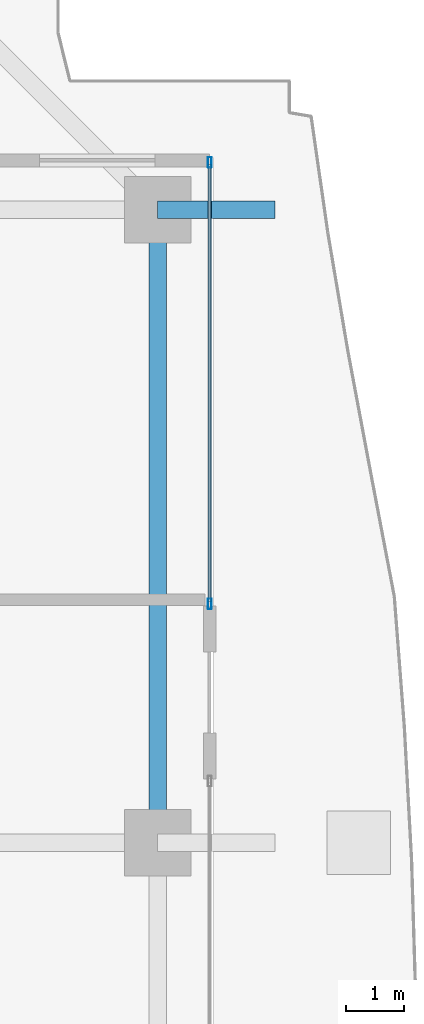
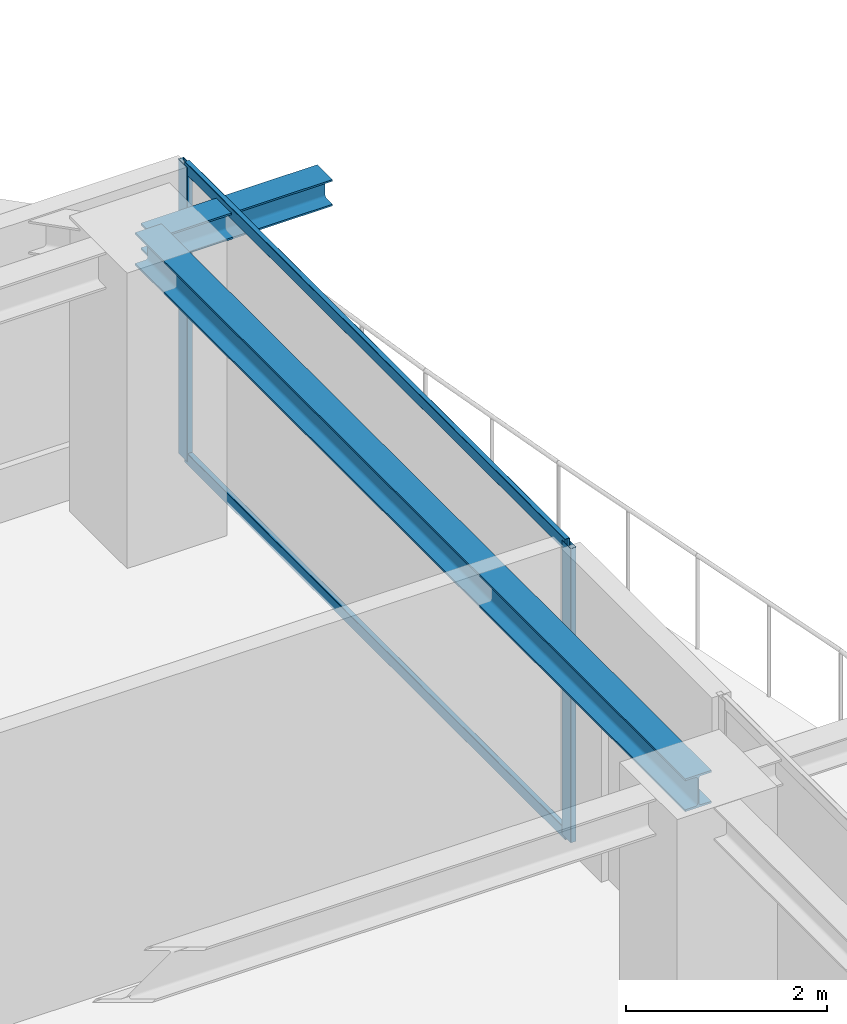
# One storey, part 23 of 38: 4 members, 2 beams, 1 element without a shape of its own.
"""IFC4 building model written with IfcOpenShell, lengths in metres."""

from ifc_helpers import new_model, si_unit, direction, frame, origin, origin_2d, place, context, subcontext, project, spatial, hollow_rectangle, i_section, extrude, source, transform, mapped, material, layer, layer_set, material_profile, profile_set, type_object, element, aggregate, save


model = new_model("IFC4")

# Units and contexts
model_context = context("Model", 3, precision=1e-05, world=origin(), true_north=direction((0.0, 1.0)))
body_context = subcontext(model_context, "Body", "Model", "MODEL_VIEW")
ifc_project = project(units=[si_unit("LENGTHUNIT", "METRE"), si_unit("AREAUNIT", "SQUARE_METRE"), si_unit("VOLUMEUNIT", "CUBIC_METRE"), si_unit("PLANEANGLEUNIT", "RADIAN"), si_unit("MASSUNIT", "GRAM", prefix="KILO")], contexts=[model_context])

# Site, building, storey
site_placement = place(None, origin())
site = spatial("IfcSite", under=ifc_project, at=site_placement, CompositionType="ELEMENT")
building_placement = place(site_placement, origin())
building = spatial("IfcBuilding", under=site, at=building_placement, Name="Serunith Strait Residences", CompositionType="ELEMENT")
storey_placement = place(building_placement, frame((0.0, 0.0, 264.35009765625)))
storey = spatial("IfcBuildingStorey", under=building, at=storey_placement, Name="L66", CompositionType="ELEMENT", Elevation=264.35009765625)

# Beams
ifc_material_1 = material(Name="Steel S355J2", Category="steel")
ifc_material_profile_1 = material_profile(ifc_material_1, i_section(OverallWidth=0.300048828125, OverallDepth=0.39990234375, WebThickness=0.013427734375, FlangeThickness=0.02392578125, FilletRadius=0.027099609375, at=origin_2d()), Name="HEB 400")
ifc_profile_set_1 = profile_set([ifc_material_profile_1], Name="Steel S355J2")
beam_type_1 = type_object("IfcBeamType", Name="BM-HEB400", PredefinedType="BEAM", material=ifc_profile_set_1)
shared_shape_1 = source(origin(), body_context, "Body", "SweptSolid", [
    extrude(i_section(OverallWidth=0.300048828125, OverallDepth=0.39990234375, WebThickness=0.013427734375, FlangeThickness=0.02392578125, FilletRadius=0.027099609375, at=origin_2d()), origin(), (0.0, 0.0, 1.0), 10.9501953125),
])
beam_1_placement = place(storey_placement, frame((56.5, 29.39990234375, 3.386962890625), z_axis=(0.0, 1.0, 0.0), x_axis=(-1.0, 0.0, 0.0)))
element("IfcBeam", 1, at=beam_1_placement, inside=storey, type_object=beam_type_1, Name="L66 Perimeter Ring Beam 07", PredefinedType="BEAM", context=body_context, shape_type="MappedRepresentation", body=[
    mapped(shared_shape_1, transform((0.0, 0.0, 0.0), scale=1.0)),
])
ifc_material_profile_2 = material_profile(ifc_material_1, i_section(OverallWidth=0.300048828125, OverallDepth=0.320068359375, WebThickness=0.011474609375, FlangeThickness=0.0205078125, FilletRadius=0.027099609375, at=origin_2d()), Name="HEB 320")
ifc_profile_set_2 = profile_set([ifc_material_profile_2], Name="Steel S355J2")
beam_type_2 = type_object("IfcBeamType", Name="BM-HEB320", PredefinedType="BEAM", material=ifc_profile_set_2)
shared_shape_2 = source(origin(), body_context, "Body", "SweptSolid", [
    extrude(i_section(OverallWidth=0.300048828125, OverallDepth=0.320068359375, WebThickness=0.011474609375, FlangeThickness=0.0205078125, FilletRadius=0.027099609375, at=origin_2d()), origin(), (0.0, 0.0, 1.0), 2.030029296875),
])
beam_2_placement = place(storey_placement, frame((56.5, 40.35009765625, 3.39697265625), z_axis=(1.0, 0.0, 0.0), x_axis=(0.0, 1.0, 0.0)))
element("IfcBeam", 2, at=beam_2_placement, inside=storey, type_object=beam_type_2, Name="L67 Cantilevered Balcony Rib TC-E4", PredefinedType="BEAM", context=body_context, shape_type="MappedRepresentation", body=[
    mapped(shared_shape_2, transform((0.0, 0.0, 0.0), scale=1.0)),
])

# Curtain wall, members
ifc_material_2 = material(Name="Pale-Champagne Anodised Aluminium", Category="aluminium")
ifc_layer = layer(ifc_material_2, 0.199951171875, Name="Pale-Champagne Anodised Aluminium")
ifc_layer_set = layer_set([ifc_layer], Name="Pale-Champagne Anodised Aluminium")
curtain_wall_type = type_object("IfcCurtainWallType", Name="CW-SYS4", PredefinedType="NOTDEFINED", material=ifc_layer_set)
curtain_wall_placement = place(storey_placement, origin())
curtain_wall = element("IfcCurtainWall", 3, at=curtain_wall_placement, inside=storey, type_object=curtain_wall_type, Name="L66 E Unitised Fritted Curtain Wall", PredefinedType="NOTDEFINED")
ifc_material_profile_3 = material_profile(ifc_material_2, hollow_rectangle(XDim=0.06494140625, YDim=0.179931640625, WallThickness=0.00341796875, InnerFilletRadius=0.00537109375, OuterFilletRadius=0.0087890625, at=origin_2d()), Name="ALU 180x65x3.5")
ifc_profile_set_3 = profile_set([ifc_material_profile_3], Name="Pale-Champagne Anodised Aluminium")
member_type_1 = type_object("IfcMemberType", Name="CW-SYS4-MULL", PredefinedType="MULLION", material=ifc_profile_set_3)
shared_shape_3 = source(origin(), body_context, "Body", "SweptSolid", [
    extrude(hollow_rectangle(XDim=0.06494140625, YDim=0.179931640625, WallThickness=0.00341796875, InnerFilletRadius=0.00537109375, OuterFilletRadius=0.0087890625, at=origin_2d()), origin(), (0.0, 0.0, 1.0), 3.574951171875),
])
member_1_placement = place(storey_placement, frame((57.39990234375, 33.532470703125, 0.0), z_axis=(0.0, 0.0, 1.0), x_axis=(-1.0, 0.0, 0.0)))
member_1 = element("IfcMember", 4, at=member_1_placement, type_object=member_type_1, Name="CW-4 mullion 1", PredefinedType="MULLION", context=body_context, shape_type="MappedRepresentation", body=[
    mapped(shared_shape_3, transform((0.0, 0.0, 0.0), scale=1.0)),
])
member_2_placement = place(storey_placement, frame((57.39990234375, 41.16748046875, 0.0), z_axis=(0.0, 0.0, 1.0), x_axis=(-1.0, 0.0, 0.0)))
member_2 = element("IfcMember", 5, at=member_2_placement, type_object=member_type_1, Name="CW-4 mullion 2", PredefinedType="MULLION", context=body_context, shape_type="MappedRepresentation", body=[
    mapped(shared_shape_3, transform((0.0, 0.0, 0.0), scale=1.0)),
])
ifc_material_profile_4 = material_profile(ifc_material_2, hollow_rectangle(XDim=0.06005859375, YDim=0.139892578125, WallThickness=0.00341796875, InnerFilletRadius=0.00537109375, OuterFilletRadius=0.0087890625, at=origin_2d()), Name="ALU 140x60x3.5")
ifc_profile_set_4 = profile_set([ifc_material_profile_4], Name="Pale-Champagne Anodised Aluminium")
member_type_2 = type_object("IfcMemberType", Name="CW-SYS4-TRAN", PredefinedType="USERDEFINED", material=ifc_profile_set_4)
shared_shape_4 = source(origin(), body_context, "Body", "SweptSolid", [
    extrude(hollow_rectangle(XDim=0.06005859375, YDim=0.139892578125, WallThickness=0.00341796875, InnerFilletRadius=0.00537109375, OuterFilletRadius=0.0087890625, at=origin_2d()), origin(), (0.0, 0.0, 1.0), 7.570068359375),
])
member_3_placement = place(storey_placement, frame((57.39990234375, 33.56494140625, 0.02978515625), z_axis=(0.0, 1.0, 0.0), x_axis=(-1.0, 0.0, 0.0)))
member_3 = element("IfcMember", 6, at=member_3_placement, type_object=member_type_2, Name="CW-4 transom 1.1", ObjectType="TRANSOM", PredefinedType="USERDEFINED", context=body_context, shape_type="MappedRepresentation", body=[
    mapped(shared_shape_4, transform((0.0, 0.0, 0.0), scale=1.0)),
])
member_4_placement = place(storey_placement, frame((57.39990234375, 33.56494140625, 3.544921875), z_axis=(0.0, 1.0, 0.0), x_axis=(-1.0, 0.0, 0.0)))
member_4 = element("IfcMember", 7, at=member_4_placement, type_object=member_type_2, Name="CW-4 transom 1.2", ObjectType="TRANSOM", PredefinedType="USERDEFINED", context=body_context, shape_type="MappedRepresentation", body=[
    mapped(shared_shape_4, transform((0.0, 0.0, 0.0), scale=1.0)),
])
aggregate(curtain_wall, [member_1, member_2, member_3, member_4])

save(model, "model.ifc")
